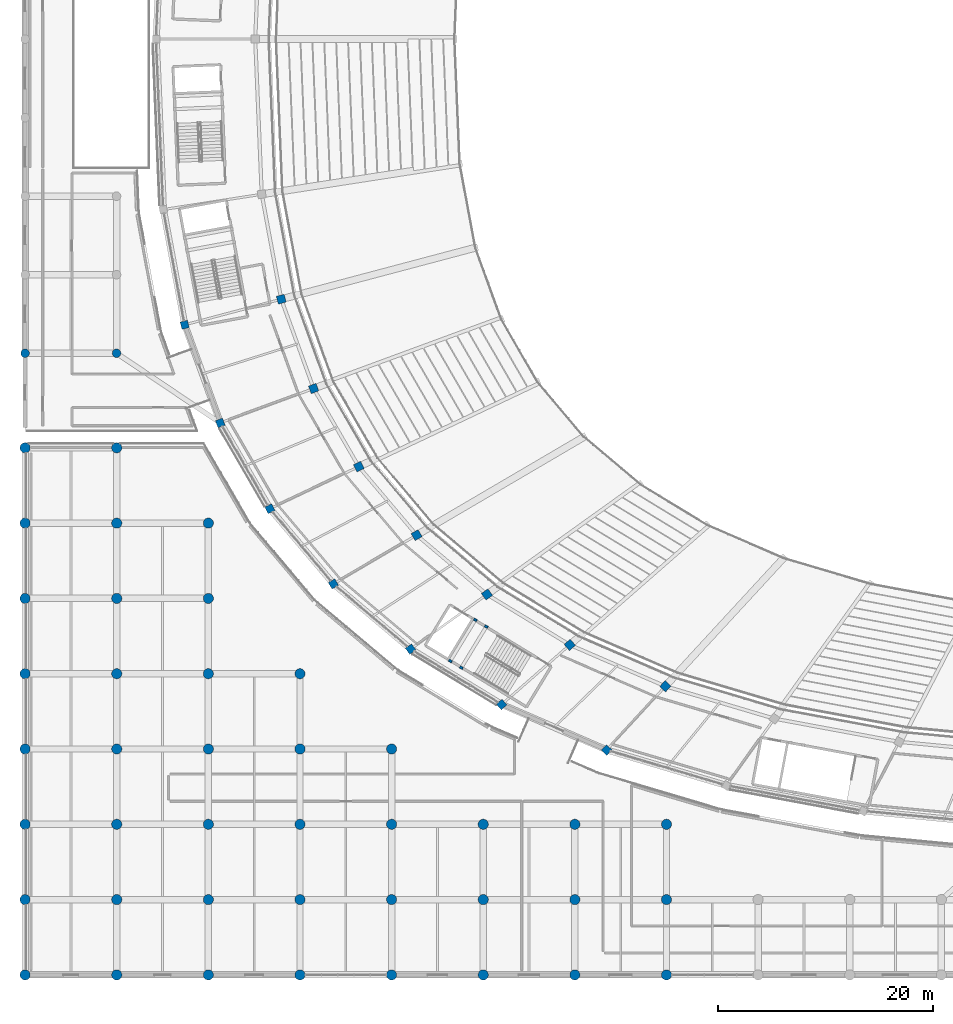
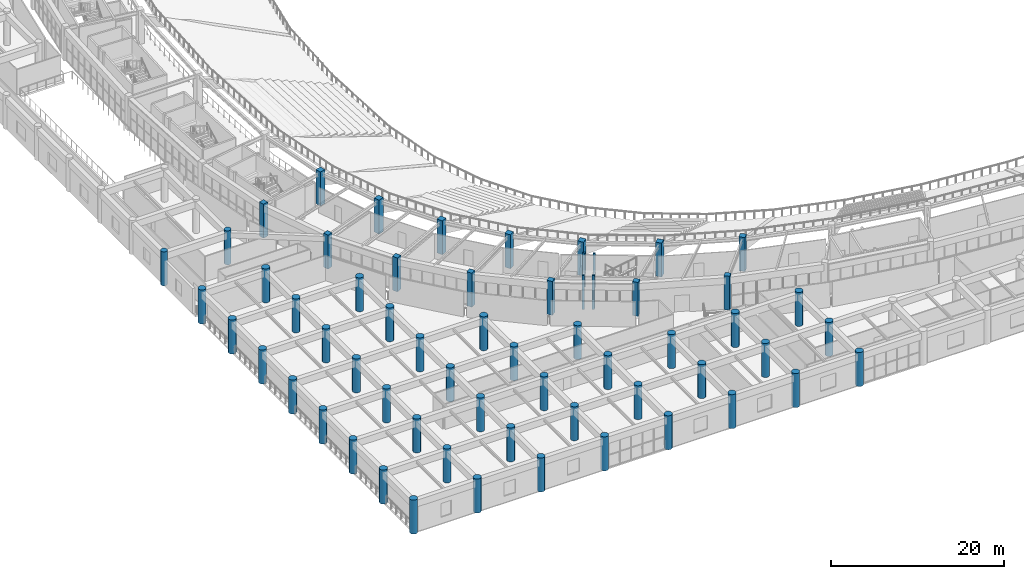
# One storey, part 1 of 137: 61 columns.
"""IFC4 building model written with IfcOpenShell, lengths in metres."""

import ifcopenshell
import ifcopenshell.guid

model = None  # the IFC model being written
_history = None  # IfcOwnerHistory: only IFC2X3 demands one
_inside = {}  # id of a spatial element -> (the spatial element, [elements in it])
_under = {}  # id of a project, library or spatial element -> (it, [spatial elements below it])
_declared = {}  # id of a project -> (the project, [libraries it declares])
_typed = {}  # id of a type object -> (the type object, [elements of that type])
_made_of = {}  # id of a material, layer set ... -> (it, [elements and type objects made of it])


def new_model(schema):
    """Start an empty IFC model of exactly this schema.

    Asked for "IFC4X3", IfcOpenShell would pick the latest addendum, in which some entities
    have other attributes; the version numbers below select the first issue.
    IFC2X3 requires an IfcOwnerHistory on every rooted entity: one is made here for all.
    """
    global model, _history
    if schema == "IFC4X3":
        model = ifcopenshell.file(schema_version=(4, 3, 0, 0))
    else:
        model = ifcopenshell.file(schema=schema)
    _inside.clear()
    _under.clear()
    _declared.clear()
    _typed.clear()
    _made_of.clear()
    _history = None
    if model.schema == "IFC2X3":
        org = make("IfcOrganization", Name="unknown")
        user = make(
            "IfcPersonAndOrganization",
            ThePerson=make("IfcPerson", FamilyName="unknown"),
            TheOrganization=org,
        )
        app = make(
            "IfcApplication",
            ApplicationDeveloper=org,
            Version="unknown",
            ApplicationFullName="unknown",
            ApplicationIdentifier="unknown",
        )
        _history = make(
            "IfcOwnerHistory",
            OwningUser=user,
            OwningApplication=app,
            ChangeAction="ADDED",
            CreationDate=0,
        )
    return model


def make(cls, **values):
    """One entity of the class cls with the attributes given. An attribute that is None is left unset."""
    return model.create_entity(
        cls, **{name: value for name, value in values.items() if value is not None}
    )


def rooted(cls, **values):
    """An entity with a GlobalId (a new one), such as an element, a storey or a relation."""
    return make(cls, GlobalId=ifcopenshell.guid.new(), OwnerHistory=_history, **values)


def si_unit(unit_type, name, prefix=None):
    """IfcSIUnit, for example si_unit("LENGTHUNIT", "METRE", prefix="MILLI")."""
    return make("IfcSIUnit", UnitType=unit_type, Prefix=prefix, Name=name)


def assignment(units):
    """IfcUnitAssignment: the units of a project."""
    return None if units is None else make("IfcUnitAssignment", Units=units)


def point(xyz):
    """IfcCartesianPoint."""
    return None if xyz is None else make("IfcCartesianPoint", Coordinates=xyz)


def direction(xyz):
    """IfcDirection."""
    return None if xyz is None else make("IfcDirection", DirectionRatios=xyz)


def frame(location, z_axis=None, x_axis=None):
    """IfcAxis2Placement3D, a coordinate frame: its origin and axes. An axis left out is left unset."""
    return make(
        "IfcAxis2Placement3D",
        Location=point(location),
        Axis=direction(z_axis),
        RefDirection=direction(x_axis),
    )


def frame_2d(location, x_axis=None):
    """IfcAxis2Placement2D, a coordinate frame in the plane: its origin and x axis."""
    return make(
        "IfcAxis2Placement2D", Location=point(location), RefDirection=direction(x_axis)
    )


def origin():
    """The frame at (0, 0, 0) with its axes left unset."""
    return frame((0.0, 0.0, 0.0))


def origin_2d():
    """The frame at (0, 0) in the plane with its x axis left unset."""
    return frame_2d((0.0, 0.0))


def place(relative_to, where):
    """IfcLocalPlacement: puts the frame where relative to a parent placement (None: the world)."""
    return make(
        "IfcLocalPlacement", PlacementRelTo=relative_to, RelativePlacement=where
    )


def context(
    kind, dimensions, precision=None, world=None, true_north=None, identifier=None
):
    """IfcGeometricRepresentationContext, for example the 3D "Model" context."""
    return make(
        "IfcGeometricRepresentationContext",
        ContextIdentifier=identifier,
        ContextType=kind,
        CoordinateSpaceDimension=dimensions,
        Precision=precision,
        WorldCoordinateSystem=world,
        TrueNorth=true_north,
    )


def subcontext(parent, identifier, kind, view, scale=None):
    """IfcGeometricRepresentationSubContext, for example "Body" below "Model"."""
    return make(
        "IfcGeometricRepresentationSubContext",
        ContextIdentifier=identifier,
        ContextType=kind,
        ParentContext=parent,
        TargetScale=scale,
        TargetView=view,
    )


def project(units=None, contexts=None):
    """IfcProject with its units and contexts."""
    return rooted(
        "IfcProject",
        Name="project",
        RepresentationContexts=contexts,
        UnitsInContext=assignment(units),
    )


def spatial(cls, under=None, at=None, **own):
    """A site, building, storey or space (cls), placed at a placement, below another one or the project."""
    s = rooted(cls, ObjectPlacement=at, **own)
    if under is not None:
        _under.setdefault(under.id(), (under, []))[1].append(s)
    return s


def profile(cls, at=None, kind="AREA", **sizes):
    """A parametric profile (cls). Its sizes go by their IFC names, for example OverallWidth=200.0."""
    return make(cls, ProfileType=kind, Position=at, **sizes)


def rectangle(**sizes):
    """IfcRectangleProfileDef."""
    return profile("IfcRectangleProfileDef", **sizes)


def circle(**sizes):
    """IfcCircleProfileDef."""
    return profile("IfcCircleProfileDef", **sizes)


def extrude(swept, where, along, depth):
    """IfcExtrudedAreaSolid: the profile swept, set in the frame where, extruded along a direction by depth."""
    return make(
        "IfcExtrudedAreaSolid",
        SweptArea=swept,
        Position=where,
        ExtrudedDirection=direction(along),
        Depth=depth,
    )


def shape(context_of_items, identifier, shape_type, items):
    """IfcShapeRepresentation: the items that make up one representation, for example the "Body"."""
    return make(
        "IfcShapeRepresentation",
        ContextOfItems=context_of_items,
        RepresentationIdentifier=identifier,
        RepresentationType=shape_type,
        Items=items,
    )


def material(Name=None, Category=None):
    """IfcMaterial."""
    return make("IfcMaterial", Name=Name, Category=Category)


def material_profile(
    of_material, cross_section, Name=None, Category=None, Priority=None
):
    """IfcMaterialProfile: a cross section and its material."""
    return make(
        "IfcMaterialProfile",
        Name=Name,
        Material=of_material,
        Profile=cross_section,
        Priority=Priority,
        Category=Category,
    )


def profile_set(profiles, Name=None, composite=None):
    """IfcMaterialProfileSet."""
    return make(
        "IfcMaterialProfileSet",
        Name=Name,
        MaterialProfiles=profiles,
        CompositeProfile=composite,
    )


def made_of(thing, what):
    """Note that an element or type object is made of a material, layer set ...; save() writes the relation."""
    if what is not None:
        _made_of.setdefault(what.id(), (what, []))[1].append(thing)
    return thing


def type_object(cls, material=None, **own):
    """A type object (cls), such as IfcWallType, which elements share."""
    return made_of(rooted(cls, **own), material)


def element(
    cls,
    number,
    at=None,
    inside=None,
    cuts=None,
    type_object=None,
    material=None,
    context=None,
    identifier="Body",
    shape_type=None,
    held_by="IfcProductDefinitionShape",
    body=None,
    shapes=None,
    **own,
):
    """One element of the class cls, such as IfcWall. Its Tag is "e" and its number.

    at: its placement. inside: the storey or other place that contains it. cuts: it is an
    opening in that element (IfcRelVoidsElement). A single representation is given by context,
    identifier, shape_type and body (its items); several are given by shapes. held_by: the class
    of the entity that holds the representations. save() writes the other relations.
    """
    e = rooted(cls, Tag="e%d" % number, ObjectPlacement=at, **own)
    if body is not None:
        shapes = [shape(context, identifier, shape_type, body)]
    if shapes is not None:
        e.Representation = make(held_by, Representations=shapes)
    if inside is not None:
        _inside.setdefault(inside.id(), (inside, []))[1].append(e)
    if cuts is not None:
        rooted(
            "IfcRelVoidsElement", RelatingBuildingElement=cuts, RelatedOpeningElement=e
        )
    if type_object is not None:
        _typed.setdefault(type_object.id(), (type_object, []))[1].append(e)
    return made_of(e, material)


def aggregate(whole, parts):
    """IfcRelAggregates: a whole, such as a stair, and the parts it consists of."""
    return rooted("IfcRelAggregates", RelatingObject=whole, RelatedObjects=parts)


def save(model, path):
    """Write the relations noted so far, then the file.

    IfcRelAggregates (storeys below a building ...), IfcRelContainedInSpatialStructure (elements
    in a storey), IfcRelDefinesByType, IfcRelAssociatesMaterial and IfcRelDeclares: one each for
    every whole, place, type object, material and project.
    """
    for whole, parts in _under.values():
        aggregate(whole, parts)
    for where, things in _inside.values():
        rooted(
            "IfcRelContainedInSpatialStructure",
            RelatedElements=things,
            RelatingStructure=where,
        )
    for kind, things in _typed.values():
        rooted("IfcRelDefinesByType", RelatedObjects=things, RelatingType=kind)
    for what, things in _made_of.values():
        rooted("IfcRelAssociatesMaterial", RelatedObjects=things, RelatingMaterial=what)
    for by, libraries in _declared.values():
        rooted("IfcRelDeclares", RelatingContext=by, RelatedDefinitions=libraries)
    model.write(path)


model = new_model("IFC4")

# Units and contexts
model_context = context("Model", 3, precision=1e-05, world=origin(), true_north=direction((0.0, 1.0)))
body_context = subcontext(model_context, "Body", "Model", "MODEL_VIEW")
ifc_project = project(units=[si_unit("LENGTHUNIT", "METRE"), si_unit("AREAUNIT", "SQUARE_METRE"), si_unit("VOLUMEUNIT", "CUBIC_METRE"), si_unit("PLANEANGLEUNIT", "RADIAN"), si_unit("MASSUNIT", "GRAM", prefix="KILO")], contexts=[model_context])

# Site, building, storey
site_placement = place(None, origin())
site = spatial("IfcSite", under=ifc_project, at=site_placement, CompositionType="ELEMENT")
building_placement = place(site_placement, origin())
building = spatial("IfcBuilding", under=site, at=building_placement, Name="Mphavela Belvedere Stadium", CompositionType="ELEMENT")
storey_placement = place(building_placement, frame((0.0, 0.0, 19.199951171875)))
storey = spatial("IfcBuildingStorey", under=building, at=storey_placement, Name="L04", CompositionType="ELEMENT", Elevation=19.199951171875)

# Columns
ifc_material_1 = material(Name="Concrete C40/50", Category="concrete")
ifc_material_profile_1 = material_profile(ifc_material_1, rectangle(XDim=0.300048828125, YDim=0.219970703125, at=origin_2d()), Name="RC 300x220")
ifc_profile_set_1 = profile_set([ifc_material_profile_1], Name="Concrete C40/50")
column_type_1 = type_object("IfcColumnType", Name="COL-CORE-POST-300", PredefinedType="COLUMN", material=ifc_profile_set_1)
for number, where, z_axis, x_axis, name in (
    (1, (42.879150390625, 32.381591796875, 0.0), (0.0, 0.0, 1.0), (-0.854368143929, 0.519668235165, 0.0), "Core C10 stair frame column L04-1"),
    (2, (41.85400390625, 33.005126953125, 0.0), (0.0, 0.0, 1.0), (-0.854368143929, 0.519668235165, 0.0), "Core C10 stair frame column L04-2"),
    (3, (39.531005859375, 29.18603515625, 0.0), (0.0, 0.0, 1.0), (-0.854368143929, 0.519668235165, 0.0), "Core C10 stair frame column L04-3"),
    (4, (40.55615234375, 28.5625, 0.0), (0.0, 0.0, 1.0), (-0.854368143929, 0.519668235165, 0.0), "Core C10 stair frame column L04-4"),
):
    element("IfcColumn", number, at=place(storey_placement, frame(where, z_axis=z_axis, x_axis=x_axis)), inside=storey, type_object=column_type_1, Name=name, PredefinedType="COLUMN", context=body_context, shape_type="SweptSolid", body=[
        extrude(rectangle(XDim=0.300048828125, YDim=0.219970703125, at=origin_2d()), origin(), (0.0, 0.0, 1.0), 4.800048828125),
    ])
ifc_material_2 = material(Name="Concrete C40/50", Category="concrete")
ifc_material_profile_2 = material_profile(ifc_material_2, circle(Radius=0.47509765625, at=origin_2d()), Name="COL D950")
ifc_profile_set_2 = profile_set([ifc_material_profile_2], Name="Concrete C40/50")
column_type_2 = type_object("IfcColumnType", Name="COL-DORIC-950", PredefinedType="COLUMN", material=ifc_profile_set_2)
for number, where, z_axis, x_axis, name in (
    (5, (0.0, 0.0, 0.0), (0.0, 0.0, 1.0), (1.0, 0.0, 0.0), "South Axial Triumphal Peristyle Portico classical column L04 1-1"),
    (6, (0.0, 7.0, 0.0), (0.0, 0.0, 1.0), (1.0, 0.0, 0.0), "South Axial Triumphal Peristyle Portico classical column L04 1-2"),
    (7, (0.0, 14.0, 0.0), (0.0, 0.0, 1.0), (1.0, 0.0, 0.0), "South Axial Triumphal Peristyle Portico classical column L04 1-3"),
    (8, (0.0, 21.0, 0.0), (0.0, 0.0, 1.0), (1.0, 0.0, 0.0), "South Axial Triumphal Peristyle Portico classical column L04 1-4"),
    (9, (0.0, 28.0, 0.0), (0.0, 0.0, 1.0), (1.0, 0.0, 0.0), "South Axial Triumphal Peristyle Portico classical column L04 1-5"),
    (10, (0.0, 35.0, 0.0), (0.0, 0.0, 1.0), (1.0, 0.0, 0.0), "South Axial Triumphal Peristyle Portico classical column L04 1-6"),
    (11, (0.0, 42.0, 0.0), (0.0, 0.0, 1.0), (1.0, 0.0, 0.0), "South Axial Triumphal Peristyle Portico classical column L04 1-7"),
    (12, (0.0, 49.0, 0.0), (0.0, 0.0, 1.0), (1.0, 0.0, 0.0), "South Axial Triumphal Peristyle Portico classical column L04 1-8"),
    (13, (8.51904296875, 0.0, 0.0), (0.0, 0.0, 1.0), (1.0, 0.0, 0.0), "South Axial Triumphal Peristyle Portico classical column L04 2-1"),
    (14, (8.51904296875, 7.0, 0.0), (0.0, 0.0, 1.0), (1.0, 0.0, 0.0), "South Axial Triumphal Peristyle Portico classical column L04 2-2"),
    (15, (8.51904296875, 14.0, 0.0), (0.0, 0.0, 1.0), (1.0, 0.0, 0.0), "South Axial Triumphal Peristyle Portico classical column L04 2-3"),
    (16, (8.51904296875, 21.0, 0.0), (0.0, 0.0, 1.0), (1.0, 0.0, 0.0), "South Axial Triumphal Peristyle Portico classical column L04 2-4"),
    (17, (8.51904296875, 28.0, 0.0), (0.0, 0.0, 1.0), (1.0, 0.0, 0.0), "South Axial Triumphal Peristyle Portico classical column L04 2-5"),
    (18, (8.51904296875, 35.0, 0.0), (0.0, 0.0, 1.0), (1.0, 0.0, 0.0), "South Axial Triumphal Peristyle Portico classical column L04 2-6"),
    (19, (8.51904296875, 42.0, 0.0), (0.0, 0.0, 1.0), (1.0, 0.0, 0.0), "South Axial Triumphal Peristyle Portico classical column L04 2-7"),
    (20, (8.51904296875, 49.0, 0.0), (0.0, 0.0, 1.0), (1.0, 0.0, 0.0), "South Axial Triumphal Peristyle Portico classical column L04 2-8"),
    (21, (17.037109375, 0.0, 0.0), (0.0, 0.0, 1.0), (1.0, 0.0, 0.0), "South Axial Triumphal Peristyle Portico classical column L04 3-1"),
    (22, (17.037109375, 7.0, 0.0), (0.0, 0.0, 1.0), (1.0, 0.0, 0.0), "South Axial Triumphal Peristyle Portico classical column L04 3-2"),
    (23, (17.037109375, 14.0, 0.0), (0.0, 0.0, 1.0), (1.0, 0.0, 0.0), "South Axial Triumphal Peristyle Portico classical column L04 3-3"),
    (24, (17.037109375, 21.0, 0.0), (0.0, 0.0, 1.0), (1.0, 0.0, 0.0), "South Axial Triumphal Peristyle Portico classical column L04 3-4"),
    (25, (17.037109375, 28.0, 0.0), (0.0, 0.0, 1.0), (1.0, 0.0, 0.0), "South Axial Triumphal Peristyle Portico classical column L04 3-5"),
    (26, (17.037109375, 35.0, 0.0), (0.0, 0.0, 1.0), (1.0, 0.0, 0.0), "South Axial Triumphal Peristyle Portico classical column L04 3-6"),
    (27, (17.037109375, 42.0, 0.0), (0.0, 0.0, 1.0), (1.0, 0.0, 0.0), "South Axial Triumphal Peristyle Portico classical column L04 3-7"),
    (28, (25.555908203125, 0.0, 0.0), (0.0, 0.0, 1.0), (1.0, 0.0, 0.0), "South Axial Triumphal Peristyle Portico classical column L04 4-1"),
    (29, (25.555908203125, 7.0, 0.0), (0.0, 0.0, 1.0), (1.0, 0.0, 0.0), "South Axial Triumphal Peristyle Portico classical column L04 4-2"),
    (30, (25.555908203125, 14.0, 0.0), (0.0, 0.0, 1.0), (1.0, 0.0, 0.0), "South Axial Triumphal Peristyle Portico classical column L04 4-3"),
    (31, (25.555908203125, 21.0, 0.0), (0.0, 0.0, 1.0), (1.0, 0.0, 0.0), "South Axial Triumphal Peristyle Portico classical column L04 4-4"),
    (32, (25.555908203125, 28.0, 0.0), (0.0, 0.0, 1.0), (1.0, 0.0, 0.0), "South Axial Triumphal Peristyle Portico classical column L04 4-5"),
    (33, (34.073974609375, 0.0, 0.0), (0.0, 0.0, 1.0), (1.0, 0.0, 0.0), "South Axial Triumphal Peristyle Portico classical column L04 5-1"),
    (34, (34.073974609375, 7.0, 0.0), (0.0, 0.0, 1.0), (1.0, 0.0, 0.0), "South Axial Triumphal Peristyle Portico classical column L04 5-2"),
    (35, (34.073974609375, 14.0, 0.0), (0.0, 0.0, 1.0), (1.0, 0.0, 0.0), "South Axial Triumphal Peristyle Portico classical column L04 5-3"),
    (36, (34.073974609375, 21.0, 0.0), (0.0, 0.0, 1.0), (1.0, 0.0, 0.0), "South Axial Triumphal Peristyle Portico classical column L04 5-4"),
    (37, (42.593017578125, 0.0, 0.0), (0.0, 0.0, 1.0), (1.0, 0.0, 0.0), "South Axial Triumphal Peristyle Portico classical column L04 6-1"),
    (38, (42.593017578125, 7.0, 0.0), (0.0, 0.0, 1.0), (1.0, 0.0, 0.0), "South Axial Triumphal Peristyle Portico classical column L04 6-2"),
    (39, (42.593017578125, 14.0, 0.0), (0.0, 0.0, 1.0), (1.0, 0.0, 0.0), "South Axial Triumphal Peristyle Portico classical column L04 6-3"),
    (40, (51.111083984375, 0.0, 0.0), (0.0, 0.0, 1.0), (1.0, 0.0, 0.0), "South Axial Triumphal Peristyle Portico classical column L04 7-1"),
    (41, (51.111083984375, 7.0, 0.0), (0.0, 0.0, 1.0), (1.0, 0.0, 0.0), "South Axial Triumphal Peristyle Portico classical column L04 7-2"),
    (42, (51.111083984375, 14.0, 0.0), (0.0, 0.0, 1.0), (1.0, 0.0, 0.0), "South Axial Triumphal Peristyle Portico classical column L04 7-3"),
    (43, (59.6298828125, 0.0, 0.0), (0.0, 0.0, 1.0), (1.0, 0.0, 0.0), "South Axial Triumphal Peristyle Portico classical column L04 8-1"),
    (44, (59.6298828125, 7.0, 0.0), (0.0, 0.0, 1.0), (1.0, 0.0, 0.0), "South Axial Triumphal Peristyle Portico classical column L04 8-2"),
    (45, (59.6298828125, 14.0, 0.0), (0.0, 0.0, 1.0), (1.0, 0.0, 0.0), "South Axial Triumphal Peristyle Portico classical column L04 8-3"),
):
    element("IfcColumn", number, at=place(storey_placement, frame(where, z_axis=z_axis, x_axis=x_axis)), inside=storey, type_object=column_type_2, Name=name, PredefinedType="COLUMN", context=body_context, shape_type="SweptSolid", body=[
        extrude(circle(Radius=0.47509765625, at=origin_2d()), origin(), (0.0, 0.0, 1.0), 4.800048828125),
    ])
ifc_material_3 = material(Name="Concrete C40/50", Category="concrete")
ifc_material_profile_3 = material_profile(ifc_material_3, circle(Radius=0.39990234375, at=origin_2d()), Name="COL D800")
ifc_profile_set_3 = profile_set([ifc_material_profile_3], Name="Concrete C40/50")
column_type_3 = type_object("IfcColumnType", Name="COL-PERISTYLE-800", PredefinedType="COLUMN", material=ifc_profile_set_3)
for number, where, z_axis, x_axis, name in (
    (46, (0.0, 57.800048828125, 0.0), (0.0, 0.0, 1.0), (1.0, 0.0, 0.0), "West Planted Eaves Peristyle Colonnade classical column L04 1-2"),
    (47, (8.5, 57.800048828125, 0.0), (0.0, 0.0, 1.0), (1.0, 0.0, 0.0), "West Planted Eaves Peristyle Colonnade classical column L04 2-2"),
):
    element("IfcColumn", number, at=place(storey_placement, frame(where, z_axis=z_axis, x_axis=x_axis)), inside=storey, type_object=column_type_3, Name=name, PredefinedType="COLUMN", context=body_context, shape_type="SweptSolid", body=[
        extrude(circle(Radius=0.39990234375, at=origin_2d()), origin(), (0.0, 0.0, 1.0), 4.800048828125),
    ])
ifc_material_4 = material(Name="Concrete C40/50", Category="concrete")
ifc_material_profile_4 = material_profile(ifc_material_4, rectangle(XDim=0.699951171875, YDim=0.699951171875, at=origin_2d()), Name="RC 700x700")
ifc_profile_set_4 = profile_set([ifc_material_profile_4], Name="Concrete C40/50")
column_type_4 = type_object("IfcColumnType", Name="COL-RC700", PredefinedType="COLUMN", material=ifc_profile_set_4)
for number, where, z_axis, x_axis, name in (
    (48, (14.83544921875, 60.4375, 0.0), (0.0, 0.0, 1.0), (-0.966600102017, -0.256289373133, 0.0), "Outer colonnade column L04 R4-27"),
    (49, (18.143798828125, 51.317626953125, 0.0), (0.0, 0.0, 1.0), (-0.938372433776, -0.34562577382, 0.0), "Outer colonnade column L04 R4-28"),
    (50, (22.757568359375, 43.33837890625, 0.0), (0.0, 0.0, 1.0), (-0.903858661687, -0.4278311813, 0.0), "Outer colonnade column L04 R4-29"),
    (51, (28.66162109375, 36.346435546875, 0.0), (0.0, 0.0, 1.0), (-0.862513669207, -0.506033764121, 0.0), "Outer colonnade column L04 R4-30"),
    (52, (35.844482421875, 30.285400390625, 0.0), (0.0, 0.0, 1.0), (-0.812897512265, -0.582406760395, 0.0), "Outer colonnade column L04 R4-31"),
    (53, (44.3037109375, 25.13916015625, 0.0), (0.0, 0.0, 1.0), (-0.752529860433, -0.658558128912, 0.0), "Outer colonnade column L04 R4-32"),
    (54, (54.0625, 20.90869140625, 0.0), (0.0, 0.0, 1.0), (-0.677903094969, -0.735151272753, 0.0), "Outer colonnade column L04 R4-33"),
):
    element("IfcColumn", number, at=place(storey_placement, frame(where, z_axis=z_axis, x_axis=x_axis)), inside=storey, type_object=column_type_4, Name=name, PredefinedType="COLUMN", context=body_context, shape_type="SweptSolid", body=[
        extrude(rectangle(XDim=0.699951171875, YDim=0.699951171875, at=origin_2d()), origin(), (0.0, 0.0, 1.0), 4.800048828125),
    ])
ifc_material_5 = material(Name="Concrete C40/50", Category="concrete")
ifc_material_profile_5 = material_profile(ifc_material_5, rectangle(XDim=0.75, YDim=0.75, at=origin_2d()), Name="RC 750x750")
ifc_profile_set_5 = profile_set([ifc_material_profile_5], Name="Concrete C40/50")
column_type_5 = type_object("IfcColumnType", Name="COL-RC750", PredefinedType="COLUMN", material=ifc_profile_set_5)
for number, where, z_axis, x_axis, name in (
    (55, (23.8125, 62.818115234375, 0.0), (0.0, 0.0, 1.0), (-0.966600102017, -0.256289373133, 0.0), "Main bowl column L04 R3-27"),
    (56, (26.824462890625, 54.515625, 0.0), (0.0, 0.0, 1.0), (-0.938372433776, -0.34562577382, 0.0), "Main bowl column L04 R3-28"),
    (57, (31.0244140625, 47.251708984375, 0.0), (0.0, 0.0, 1.0), (-0.903858661687, -0.4278311813, 0.0), "Main bowl column L04 R3-29"),
    (58, (36.399658203125, 40.88623046875, 0.0), (0.0, 0.0, 1.0), (-0.862513669207, -0.506033764121, 0.0), "Main bowl column L04 R3-30"),
    (59, (42.938720703125, 35.368408203125, 0.0), (0.0, 0.0, 1.0), (-0.812897512265, -0.582406760395, 0.0), "Main bowl column L04 R3-31"),
    (60, (50.639892578125, 30.68310546875, 0.0), (0.0, 0.0, 1.0), (-0.752529860433, -0.658558128912, 0.0), "Main bowl column L04 R3-32"),
    (61, (59.523681640625, 26.83203125, 0.0), (0.0, 0.0, 1.0), (-0.677903094969, -0.735151272753, 0.0), "Main bowl column L04 R3-33"),
):
    element("IfcColumn", number, at=place(storey_placement, frame(where, z_axis=z_axis, x_axis=x_axis)), inside=storey, type_object=column_type_5, Name=name, PredefinedType="COLUMN", context=body_context, shape_type="SweptSolid", body=[
        extrude(rectangle(XDim=0.75, YDim=0.75, at=origin_2d()), origin(), (0.0, 0.0, 1.0), 4.800048828125),
    ])

save(model, "model.ifc")
